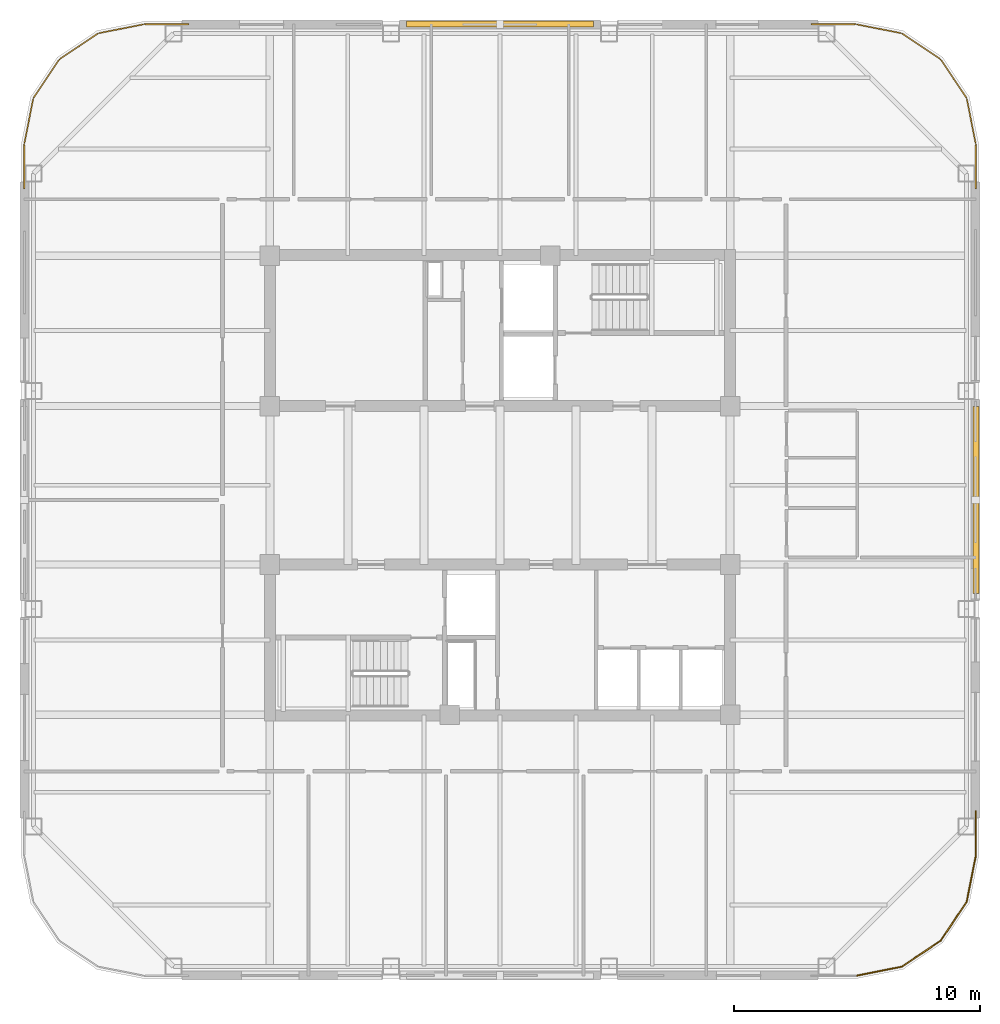
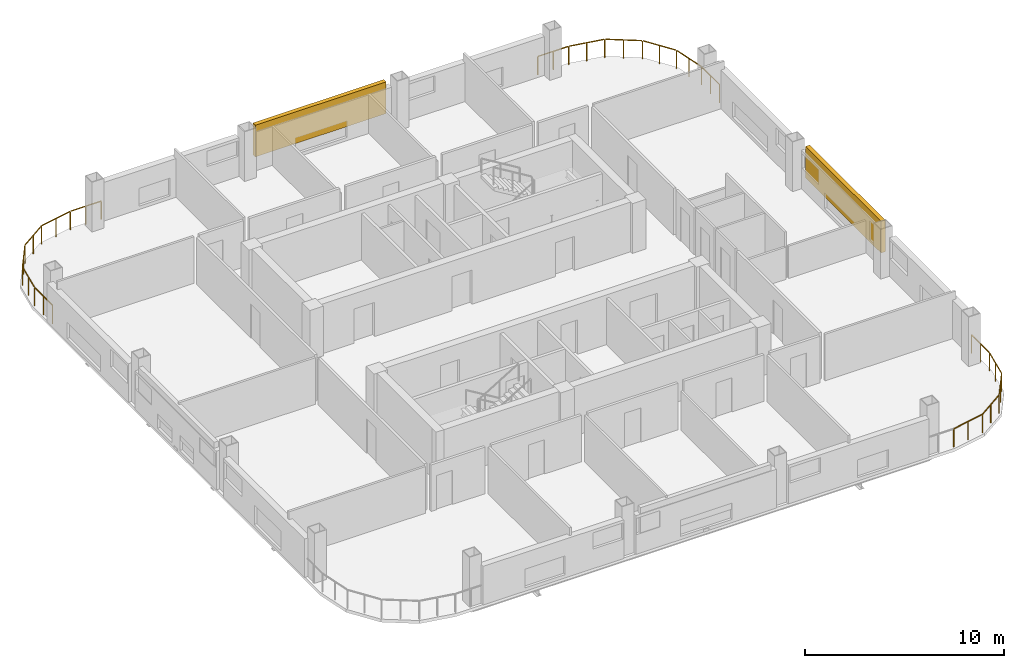
# One storey, part 8 of 8: 3 railings, 2 shading devices.
"""IFC4 building model written with IfcOpenShell, lengths in metres."""

from ifc_helpers import new_model, si_unit, direction, frame, origin, origin_2d, place, context, subcontext, project, spatial, rectangle, extrude, material, type_object, element, save


model = new_model("IFC4")

# Units and contexts
model_context = context("Model", 3, precision=1e-05, world=origin(), true_north=direction((0.0, 1.0)))
body_context = subcontext(model_context, "Body", "Model", "MODEL_VIEW")
ifc_project = project(units=[si_unit("LENGTHUNIT", "METRE"), si_unit("AREAUNIT", "SQUARE_METRE"), si_unit("VOLUMEUNIT", "CUBIC_METRE"), si_unit("PLANEANGLEUNIT", "RADIAN"), si_unit("MASSUNIT", "GRAM", prefix="KILO")], contexts=[model_context])

# Site, building, storey
site_placement = place(None, origin())
site = spatial("IfcSite", under=ifc_project, at=site_placement, CompositionType="ELEMENT")
building_placement = place(site_placement, origin())
building = spatial("IfcBuilding", under=site, at=building_placement, Name="Qhalaya Broadcast Tower", CompositionType="ELEMENT")
storey_placement = place(building_placement, frame((0.0, 0.0, 214.75)))
storey = spatial("IfcBuildingStorey", under=building, at=storey_placement, Name="L63", CompositionType="ELEMENT", Elevation=214.75)

# Railings
ifc_material_1 = material(Name="Powder-Coated Galvanised Steel", Category="steel")
railing_type = type_object("IfcRailingType", Name="Terrace, Sky-Pool & Lookout Glass Balustrade 1150", PredefinedType="BALUSTRADE", material=ifc_material_1)
railing_1_placement = place(storey_placement, frame((-19.3798828125, 12.681884765625, 0.0)))
element("IfcRailing", 1, at=railing_1_placement, inside=storey, type_object=railing_type, Name="L63 Rounded Corner Perimeter Guard 03", PredefinedType="BALUSTRADE", context=body_context, shape_type="SweptSolid", body=[
    extrude(rectangle(XDim=0.048095703125, YDim=0.048095703125, at=origin_2d()), frame((0.0, 0.0, 1.1259765625), z_axis=(0.0, 1.0, 0.0), x_axis=(-1.0, 0.0, 0.0)), (0.0, 0.0, 1.0), 1.777587890625),
    extrude(rectangle(XDim=0.048095703125, YDim=0.048095703125, at=origin_2d()), frame((0.005615234375, 1.834716796875, 1.1259765625), z_axis=(0.195037378397, 0.980795810058, 0.0), x_axis=(-0.980795810058, 0.195037378397, 0.0)), (0.0, 0.0, 1.0), 1.857421875),
    extrude(rectangle(XDim=0.048095703125, YDim=0.048095703125, at=origin_2d()), frame((0.3896484375, 3.708740234375, 1.1259765625), z_axis=(0.555617615188, 0.831437950597, 0.0), x_axis=(-0.831437950597, 0.555617615188, 0.0)), (0.0, 0.0, 1.0), 1.845458984375),
    extrude(rectangle(XDim=0.048095703125, YDim=0.048095703125, at=origin_2d()), frame((1.454833984375, 5.283203125, 1.1259765625), z_axis=(0.831437950597, 0.555617615188, 0.0), x_axis=(-0.555617615188, 0.831437950597, 0.0)), (0.0, 0.0, 1.0), 1.845458984375),
    extrude(rectangle(XDim=0.048095703125, YDim=0.048095703125, at=origin_2d()), frame((3.04150390625, 6.330078125, 1.1259765625), z_axis=(0.980795810058, 0.195037378397, 0.0), x_axis=(-0.195037378397, 0.980795810058, 0.0)), (0.0, 0.0, 1.0), 1.857421875),
    extrude(rectangle(XDim=0.048095703125, YDim=0.048095703125, at=origin_2d()), frame((4.92041015625, 6.697998046875, 1.1259765625), z_axis=(1.0, 0.0, 0.0), x_axis=(0.0, 1.0, 0.0)), (0.0, 0.0, 1.0), 1.777587890625),
    extrude(rectangle(XDim=0.0419921875, YDim=0.0419921875, at=origin_2d()), origin(), (0.0, 0.0, 1.0), 1.099853515625),
    extrude(rectangle(XDim=0.0419921875, YDim=0.0419921875, at=origin_2d()), frame((0.0, 0.9033203125, 0.0)), (0.0, 0.0, 1.0), 1.099853515625),
    extrude(rectangle(XDim=0.0419921875, YDim=0.0419921875, at=origin_2d()), frame((0.0, 1.806396484375, 0.0)), (0.0, 0.0, 1.0), 1.099853515625),
    extrude(rectangle(XDim=0.0419921875, YDim=0.0419921875, at=origin_2d()), frame((0.186767578125, 2.74560546875, 0.0)), (0.0, 0.0, 1.0), 1.099853515625),
    extrude(rectangle(XDim=0.0419921875, YDim=0.0419921875, at=origin_2d()), frame((0.37353515625, 3.684814453125, 0.0)), (0.0, 0.0, 1.0), 1.099853515625),
    extrude(rectangle(XDim=0.0419921875, YDim=0.0419921875, at=origin_2d()), frame((0.90234375, 4.47607421875, 0.0)), (0.0, 0.0, 1.0), 1.099853515625),
    extrude(rectangle(XDim=0.0419921875, YDim=0.0419921875, at=origin_2d()), frame((1.430908203125, 5.26708984375, 0.0)), (0.0, 0.0, 1.0), 1.099853515625),
    extrude(rectangle(XDim=0.0419921875, YDim=0.0419921875, at=origin_2d()), frame((2.22216796875, 5.7958984375, 0.0)), (0.0, 0.0, 1.0), 1.099853515625),
    extrude(rectangle(XDim=0.0419921875, YDim=0.0419921875, at=origin_2d()), frame((3.01318359375, 6.324462890625, 0.0)), (0.0, 0.0, 1.0), 1.099853515625),
    extrude(rectangle(XDim=0.0419921875, YDim=0.0419921875, at=origin_2d()), frame((3.952392578125, 6.51123046875, 0.0)), (0.0, 0.0, 1.0), 1.099853515625),
    extrude(rectangle(XDim=0.0419921875, YDim=0.0419921875, at=origin_2d()), frame((4.8916015625, 6.697998046875, 0.0)), (0.0, 0.0, 1.0), 1.099853515625),
    extrude(rectangle(XDim=0.0419921875, YDim=0.0419921875, at=origin_2d()), frame((5.794921875, 6.697998046875, 0.0)), (0.0, 0.0, 1.0), 1.099853515625),
    extrude(rectangle(XDim=0.0419921875, YDim=0.0419921875, at=origin_2d()), frame((6.697998046875, 6.697998046875, 0.0)), (0.0, 0.0, 1.0), 1.099853515625),
])
railing_2_placement = place(storey_placement, frame((12.681884765625, 19.3798828125, 0.0)))
element("IfcRailing", 2, at=railing_2_placement, inside=storey, type_object=railing_type, Name="L63 Rounded Corner Perimeter Guard 04", PredefinedType="BALUSTRADE", context=body_context, shape_type="SweptSolid", body=[
    extrude(rectangle(XDim=0.048095703125, YDim=0.048095703125, at=origin_2d()), frame((0.0, 0.0, 1.1259765625), z_axis=(1.0, 0.0, 0.0), x_axis=(0.0, 1.0, 0.0)), (0.0, 0.0, 1.0), 1.777587890625),
    extrude(rectangle(XDim=0.048095703125, YDim=0.048095703125, at=origin_2d()), frame((1.834716796875, -0.005615234375, 1.1259765625), z_axis=(0.980795810058, -0.195037378397, 0.0), x_axis=(0.195037378397, 0.980795810058, 0.0)), (0.0, 0.0, 1.0), 1.857421875),
    extrude(rectangle(XDim=0.048095703125, YDim=0.048095703125, at=origin_2d()), frame((3.708740234375, -0.3896484375, 1.1259765625), z_axis=(0.831437950597, -0.555617615188, 0.0), x_axis=(0.555617615188, 0.831437950597, 0.0)), (0.0, 0.0, 1.0), 1.845458984375),
    extrude(rectangle(XDim=0.048095703125, YDim=0.048095703125, at=origin_2d()), frame((5.283203125, -1.454833984375, 1.1259765625), z_axis=(0.555617615188, -0.831437950597, 0.0), x_axis=(0.831437950597, 0.555617615188, 0.0)), (0.0, 0.0, 1.0), 1.845458984375),
    extrude(rectangle(XDim=0.048095703125, YDim=0.048095703125, at=origin_2d()), frame((6.330078125, -3.04150390625, 1.1259765625), z_axis=(0.195037378397, -0.980795810058, 0.0), x_axis=(0.980795810058, 0.195037378397, 0.0)), (0.0, 0.0, 1.0), 1.857421875),
    extrude(rectangle(XDim=0.048095703125, YDim=0.048095703125, at=origin_2d()), frame((6.697998046875, -4.92041015625, 1.1259765625), z_axis=(0.0, -1.0, 0.0), x_axis=(1.0, 0.0, 0.0)), (0.0, 0.0, 1.0), 1.777587890625),
    extrude(rectangle(XDim=0.0419921875, YDim=0.0419921875, at=origin_2d()), origin(), (0.0, 0.0, 1.0), 1.099853515625),
    extrude(rectangle(XDim=0.0419921875, YDim=0.0419921875, at=origin_2d()), frame((0.9033203125, 0.0, 0.0)), (0.0, 0.0, 1.0), 1.099853515625),
    extrude(rectangle(XDim=0.0419921875, YDim=0.0419921875, at=origin_2d()), frame((1.806396484375, 0.0, 0.0)), (0.0, 0.0, 1.0), 1.099853515625),
    extrude(rectangle(XDim=0.0419921875, YDim=0.0419921875, at=origin_2d()), frame((2.74560546875, -0.186767578125, 0.0)), (0.0, 0.0, 1.0), 1.099853515625),
    extrude(rectangle(XDim=0.0419921875, YDim=0.0419921875, at=origin_2d()), frame((3.684814453125, -0.37353515625, 0.0)), (0.0, 0.0, 1.0), 1.099853515625),
    extrude(rectangle(XDim=0.0419921875, YDim=0.0419921875, at=origin_2d()), frame((4.47607421875, -0.90234375, 0.0)), (0.0, 0.0, 1.0), 1.099853515625),
    extrude(rectangle(XDim=0.0419921875, YDim=0.0419921875, at=origin_2d()), frame((5.26708984375, -1.430908203125, 0.0)), (0.0, 0.0, 1.0), 1.099853515625),
    extrude(rectangle(XDim=0.0419921875, YDim=0.0419921875, at=origin_2d()), frame((5.7958984375, -2.22216796875, 0.0)), (0.0, 0.0, 1.0), 1.099853515625),
    extrude(rectangle(XDim=0.0419921875, YDim=0.0419921875, at=origin_2d()), frame((6.324462890625, -3.01318359375, 0.0)), (0.0, 0.0, 1.0), 1.099853515625),
    extrude(rectangle(XDim=0.0419921875, YDim=0.0419921875, at=origin_2d()), frame((6.51123046875, -3.952392578125, 0.0)), (0.0, 0.0, 1.0), 1.099853515625),
    extrude(rectangle(XDim=0.0419921875, YDim=0.0419921875, at=origin_2d()), frame((6.697998046875, -4.8916015625, 0.0)), (0.0, 0.0, 1.0), 1.099853515625),
    extrude(rectangle(XDim=0.0419921875, YDim=0.0419921875, at=origin_2d()), frame((6.697998046875, -5.794921875, 0.0)), (0.0, 0.0, 1.0), 1.099853515625),
    extrude(rectangle(XDim=0.0419921875, YDim=0.0419921875, at=origin_2d()), frame((6.697998046875, -6.697998046875, 0.0)), (0.0, 0.0, 1.0), 1.099853515625),
])
railing_3_placement = place(storey_placement, frame((19.3798828125, -12.681884765625, 0.0)))
element("IfcRailing", 3, at=railing_3_placement, inside=storey, type_object=railing_type, Name="L63 Rounded Corner Perimeter Guard 05", PredefinedType="BALUSTRADE", context=body_context, shape_type="SweptSolid", body=[
    extrude(rectangle(XDim=0.048095703125, YDim=0.048095703125, at=origin_2d()), frame((0.0, 0.0, 1.1259765625), z_axis=(0.0, -1.0, 0.0), x_axis=(1.0, 0.0, 0.0)), (0.0, 0.0, 1.0), 1.777587890625),
    extrude(rectangle(XDim=0.048095703125, YDim=0.048095703125, at=origin_2d()), frame((-0.005615234375, -1.834716796875, 1.1259765625), z_axis=(-0.195037378397, -0.980795810058, 0.0), x_axis=(0.980795810058, -0.195037378397, 0.0)), (0.0, 0.0, 1.0), 1.857421875),
    extrude(rectangle(XDim=0.048095703125, YDim=0.048095703125, at=origin_2d()), frame((-0.3896484375, -3.708740234375, 1.1259765625), z_axis=(-0.555617615188, -0.831437950597, 0.0), x_axis=(0.831437950597, -0.555617615188, 0.0)), (0.0, 0.0, 1.0), 1.845458984375),
    extrude(rectangle(XDim=0.048095703125, YDim=0.048095703125, at=origin_2d()), frame((-1.454833984375, -5.283203125, 1.1259765625), z_axis=(-0.831437950597, -0.555617615188, 0.0), x_axis=(0.555617615188, -0.831437950597, 0.0)), (0.0, 0.0, 1.0), 1.845458984375),
    extrude(rectangle(XDim=0.048095703125, YDim=0.048095703125, at=origin_2d()), frame((-3.04150390625, -6.330078125, 1.1259765625), z_axis=(-0.980795810058, -0.195037378397, 0.0), x_axis=(0.195037378397, -0.980795810058, 0.0)), (0.0, 0.0, 1.0), 1.88623046875),
    extrude(rectangle(XDim=0.0419921875, YDim=0.0419921875, at=origin_2d()), origin(), (0.0, 0.0, 1.0), 1.099853515625),
    extrude(rectangle(XDim=0.0419921875, YDim=0.0419921875, at=origin_2d()), frame((0.0, -0.9033203125, 0.0)), (0.0, 0.0, 1.0), 1.099853515625),
    extrude(rectangle(XDim=0.0419921875, YDim=0.0419921875, at=origin_2d()), frame((0.0, -1.806396484375, 0.0)), (0.0, 0.0, 1.0), 1.099853515625),
    extrude(rectangle(XDim=0.0419921875, YDim=0.0419921875, at=origin_2d()), frame((-0.186767578125, -2.74560546875, 0.0)), (0.0, 0.0, 1.0), 1.099853515625),
    extrude(rectangle(XDim=0.0419921875, YDim=0.0419921875, at=origin_2d()), frame((-0.37353515625, -3.684814453125, 0.0)), (0.0, 0.0, 1.0), 1.099853515625),
    extrude(rectangle(XDim=0.0419921875, YDim=0.0419921875, at=origin_2d()), frame((-0.90234375, -4.47607421875, 0.0)), (0.0, 0.0, 1.0), 1.099853515625),
    extrude(rectangle(XDim=0.0419921875, YDim=0.0419921875, at=origin_2d()), frame((-1.430908203125, -5.26708984375, 0.0)), (0.0, 0.0, 1.0), 1.099853515625),
    extrude(rectangle(XDim=0.0419921875, YDim=0.0419921875, at=origin_2d()), frame((-2.22216796875, -5.7958984375, 0.0)), (0.0, 0.0, 1.0), 1.099853515625),
    extrude(rectangle(XDim=0.0419921875, YDim=0.0419921875, at=origin_2d()), frame((-3.01318359375, -6.324462890625, 0.0)), (0.0, 0.0, 1.0), 1.099853515625),
    extrude(rectangle(XDim=0.0419921875, YDim=0.0419921875, at=origin_2d()), frame((-3.952392578125, -6.51123046875, 0.0)), (0.0, 0.0, 1.0), 1.099853515625),
    extrude(rectangle(XDim=0.0419921875, YDim=0.0419921875, at=origin_2d()), frame((-4.8916015625, -6.697998046875, 0.0)), (0.0, 0.0, 1.0), 1.099853515625),
])

# Shading devices
ifc_material_2 = material(Name="Fired Architectural Terracotta", Category="masonry")
shading_device_type = type_object("IfcShadingDeviceType", Name="Terracotta Baguette Solar Screen Assembly TBS-01", PredefinedType="USERDEFINED", material=ifc_material_2)
for number, where, z_axis, x_axis, name in (
    (4, (19.3798828125, 0.0, 0.80078125), (0.0, 0.0, 1.0), (0.0, 1.0, 0.0), "L63 Fired Terracotta Baguette Screen E"),
    (5, (0.0, 19.3798828125, 0.80078125), (0.0, 0.0, 1.0), (-1.0, 0.0, 0.0), "L63 Fired Terracotta Baguette Screen N"),
):
    element("IfcShadingDevice", number, at=place(storey_placement, frame(where, z_axis=z_axis, x_axis=x_axis)), inside=storey, type_object=shading_device_type, Name=name, ObjectType="BAGUETTE", PredefinedType="USERDEFINED", context=body_context, shape_type="SweptSolid", body=[
        extrude(rectangle(XDim=7.60009765625, YDim=0.239990234375, at=origin_2d()), origin(), (0.0, 0.0, 1.0), 1.945068359375),
    ])

save(model, "model.ifc")
